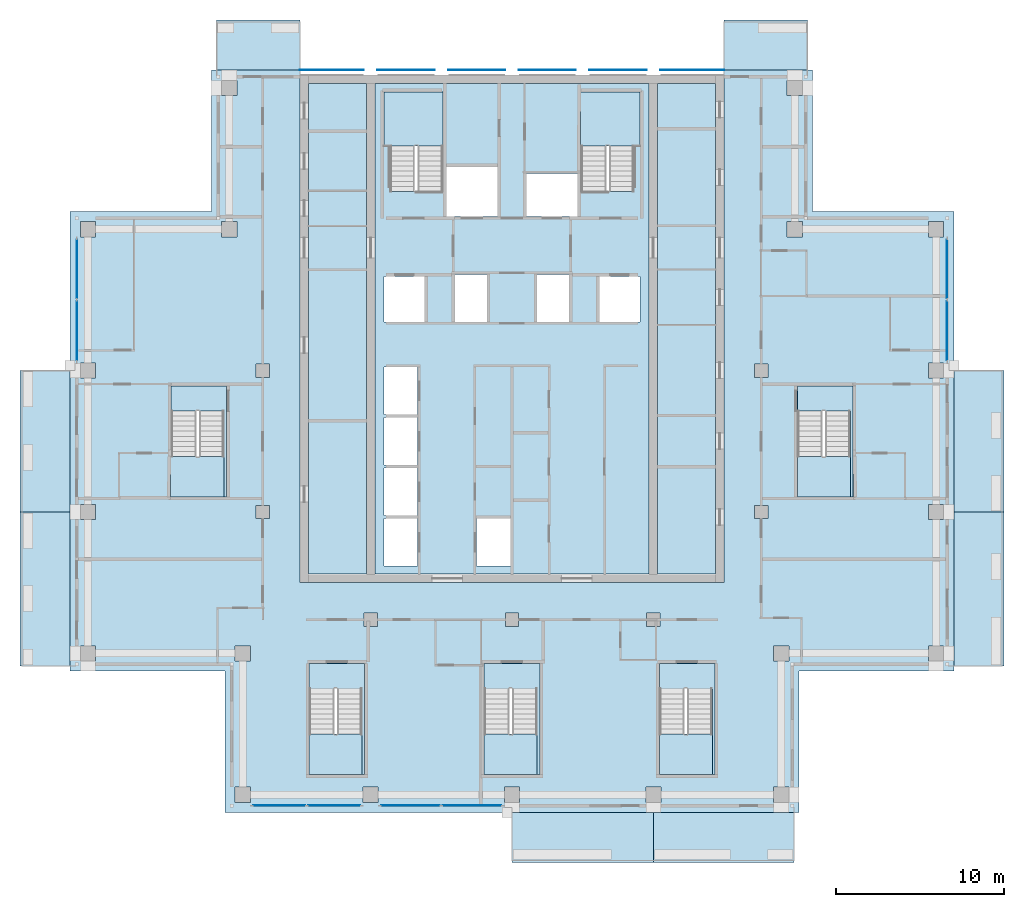
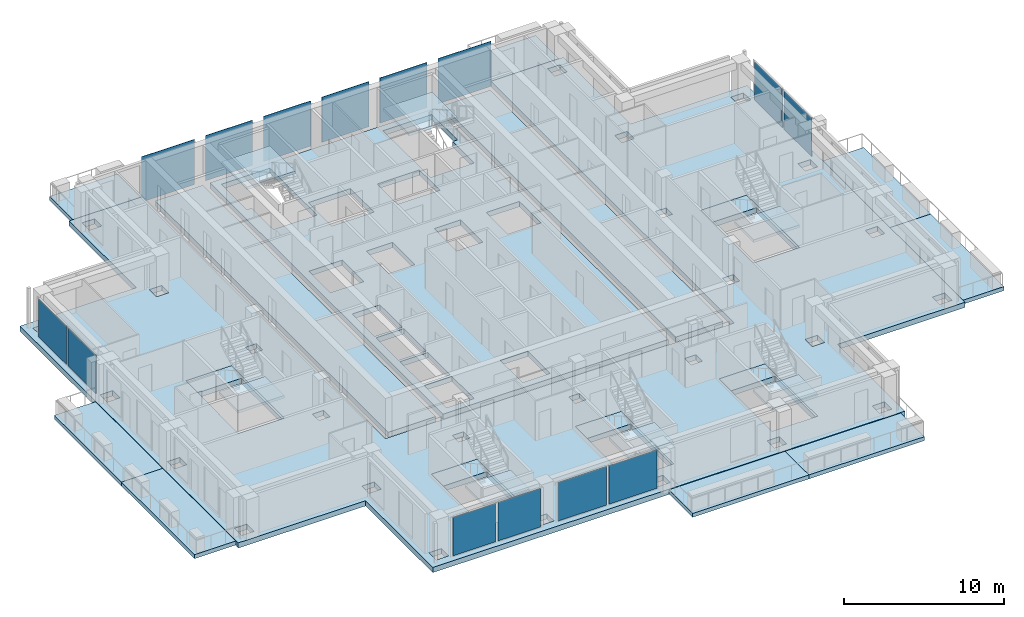
# One storey, part 7 of 17: 24 slabs, 14 plates, 11 elements without a shape of their own.
"""IFC4 building model written with IfcOpenShell, lengths in metres."""

from ifc_helpers import new_model, si_unit, direction, frame, origin, origin_2d, place, context, subcontext, project, spatial, polyline, rectangle, outline, extrude, material, layer, layer_set, type_object, element, aggregate, save


model = new_model("IFC4")

# Units and contexts
model_context = context("Model", 3, precision=1e-05, world=origin(), true_north=direction((0.0, 1.0)))
body_context = subcontext(model_context, "Body", "Model", "MODEL_VIEW")
ifc_project = project(units=[si_unit("LENGTHUNIT", "METRE"), si_unit("AREAUNIT", "SQUARE_METRE"), si_unit("VOLUMEUNIT", "CUBIC_METRE"), si_unit("PLANEANGLEUNIT", "RADIAN"), si_unit("MASSUNIT", "GRAM", prefix="KILO")], contexts=[model_context])

# Site, building, storey
site_placement = place(None, origin())
site = spatial("IfcSite", under=ifc_project, at=site_placement, CompositionType="ELEMENT")
building_placement = place(site_placement, origin())
building = spatial("IfcBuilding", under=site, at=building_placement, Name="Vermilion Ogive Tower", CompositionType="ELEMENT")
storey_placement = place(building_placement, frame((0.0, 0.0, 244.14990234375)))
storey = spatial("IfcBuildingStorey", under=building, at=storey_placement, Name="L64", CompositionType="ELEMENT", Elevation=244.14990234375)

# Slabs
ifc_material_1 = material(Name="Concrete B40", Category="concrete")
ifc_layer_1 = layer(ifc_material_1, 0.300048828125)
ifc_layer_set_1 = layer_set([ifc_layer_1], Name="Balcony slab")
slab_type_1 = type_object("IfcSlabType", Name="Balcony slab", PredefinedType="FLOOR", material=ifc_layer_set_1)
slab_1_placement = place(storey_placement, frame((0.0, 0.0, -0.33984375)))
element("IfcSlab", 1, at=slab_1_placement, inside=storey, type_object=slab_type_1, Name="Balcony slab S03", PredefinedType="FLOOR", context=body_context, shape_type="SweptSolid", body=[
    extrude(outline(polyline([(0.0, -25.030029296875), (8.39990234375, -25.030029296875), (8.39990234375, -22.050048828125), (0.0, -22.050048828125), (0.0, -25.030029296875)])), origin(), (0.0, 0.0, 1.0), 0.300048828125),
])
slab_2_placement = place(storey_placement, frame((0.0, 0.0, -0.33984375)))
element("IfcSlab", 2, at=slab_2_placement, inside=storey, type_object=slab_type_1, Name="Balcony slab S04", PredefinedType="FLOOR", context=body_context, shape_type="SweptSolid", body=[
    extrude(outline(polyline([(8.39990234375, -25.030029296875), (16.75, -25.030029296875), (16.75, -22.050048828125), (8.39990234375, -22.050048828125), (8.39990234375, -25.030029296875)])), origin(), (0.0, 0.0, 1.0), 0.300048828125),
])
slab_3_placement = place(storey_placement, frame((0.0, 0.0, -0.33984375)))
element("IfcSlab", 3, at=slab_3_placement, inside=storey, type_object=slab_type_1, Name="Balcony slab E01", PredefinedType="FLOOR", context=body_context, shape_type="SweptSolid", body=[
    extrude(outline(polyline([(29.22998046875, -13.35009765625), (29.22998046875, -4.199951171875), (26.25, -4.199951171875), (26.25, -13.35009765625), (29.22998046875, -13.35009765625)])), origin(), (0.0, 0.0, 1.0), 0.300048828125),
])
slab_4_placement = place(storey_placement, frame((0.0, 0.0, -0.33984375)))
element("IfcSlab", 4, at=slab_4_placement, inside=storey, type_object=slab_type_1, Name="Balcony slab E02", PredefinedType="FLOOR", context=body_context, shape_type="SweptSolid", body=[
    extrude(outline(polyline([(29.22998046875, -4.199951171875), (29.22998046875, 4.199951171875), (26.25, 4.199951171875), (26.25, -4.199951171875), (29.22998046875, -4.199951171875)])), origin(), (0.0, 0.0, 1.0), 0.300048828125),
])
slab_5_placement = place(storey_placement, frame((0.0, 0.0, -0.33984375)))
element("IfcSlab", 5, at=slab_5_placement, inside=storey, type_object=slab_type_1, Name="Balcony slab N101", PredefinedType="FLOOR", context=body_context, shape_type="SweptSolid", body=[
    extrude(outline(polyline([(17.550048828125, 25.030029296875), (12.60009765625, 25.030029296875), (12.60009765625, 22.050048828125), (17.550048828125, 22.050048828125), (17.550048828125, 25.030029296875)])), origin(), (0.0, 0.0, 1.0), 0.300048828125),
])
slab_6_placement = place(storey_placement, frame((0.0, 0.0, -0.33984375)))
element("IfcSlab", 6, at=slab_6_placement, inside=storey, type_object=slab_type_1, Name="Balcony slab N201", PredefinedType="FLOOR", context=body_context, shape_type="SweptSolid", body=[
    extrude(outline(polyline([(-12.60009765625, 25.030029296875), (-17.550048828125, 25.030029296875), (-17.550048828125, 22.050048828125), (-12.60009765625, 22.050048828125), (-12.60009765625, 25.030029296875)])), origin(), (0.0, 0.0, 1.0), 0.300048828125),
])
slab_7_placement = place(storey_placement, frame((0.0, 0.0, -0.33984375)))
element("IfcSlab", 7, at=slab_7_placement, inside=storey, type_object=slab_type_1, Name="Balcony slab W02", PredefinedType="FLOOR", context=body_context, shape_type="SweptSolid", body=[
    extrude(outline(polyline([(-29.22998046875, 4.199951171875), (-29.22998046875, -4.199951171875), (-26.25, -4.199951171875), (-26.25, 4.199951171875), (-29.22998046875, 4.199951171875)])), origin(), (0.0, 0.0, 1.0), 0.300048828125),
])
slab_8_placement = place(storey_placement, frame((0.0, 0.0, -0.33984375)))
element("IfcSlab", 8, at=slab_8_placement, inside=storey, type_object=slab_type_1, Name="Balcony slab W03", PredefinedType="FLOOR", context=body_context, shape_type="SweptSolid", body=[
    extrude(outline(polyline([(-29.22998046875, -4.199951171875), (-29.22998046875, -13.35009765625), (-26.25, -13.35009765625), (-26.25, -4.199951171875), (-29.22998046875, -4.199951171875)])), origin(), (0.0, 0.0, 1.0), 0.300048828125),
])

# Curtain wall, plates
ifc_material_2 = material(Name="Low-iron laminated glazing in aluminium frame", Category="aluminium")
curtain_wall_type = type_object("IfcCurtainWallType", Name="Curtain wall CW7", PredefinedType="NOTDEFINED", material=ifc_material_2)
curtain_wall_1_placement = place(storey_placement, origin())
curtain_wall_1 = element("IfcCurtainWall", 9, at=curtain_wall_1_placement, inside=storey, type_object=curtain_wall_type, Name="Glazed skin S1", PredefinedType="NOTDEFINED")
ifc_material_3 = material(Name="Low-iron laminated glazing in aluminium frame", Category="aluminium")
ifc_layer_2 = layer(ifc_material_3, 0.031982421875)
ifc_layer_set_2 = layer_set([ifc_layer_2], Name="CW7 glazing panel 32")
plate_type_1 = type_object("IfcPlateType", Name="CW7 glazing panel 32", PredefinedType="CURTAIN_PANEL", material=ifc_layer_set_2)
plate_1_placement = place(storey_placement, frame((-13.830078125, -21.64990234375, 0.06005859375), z_axis=(0.0, 0.0, 1.0), x_axis=(1.0, 0.0, 0.0)))
plate_1 = element("IfcPlate", 10, at=plate_1_placement, type_object=plate_type_1, Name="CW7-S1 panel 1.1", PredefinedType="CURTAIN_PANEL", context=body_context, shape_type="SweptSolid", body=[
    extrude(rectangle(XDim=3.080078125, YDim=0.031982421875, at=origin_2d()), origin(), (0.0, 0.0, 1.0), 2.929931640625),
])
plate_2_placement = place(storey_placement, frame((-10.570068359375, -21.64990234375, 0.06005859375), z_axis=(0.0, 0.0, 1.0), x_axis=(1.0, 0.0, 0.0)))
plate_2 = element("IfcPlate", 11, at=plate_2_placement, type_object=plate_type_1, Name="CW7-S1 panel 2.1", PredefinedType="CURTAIN_PANEL", context=body_context, shape_type="SweptSolid", body=[
    extrude(rectangle(XDim=3.080078125, YDim=0.031982421875, at=origin_2d()), origin(), (0.0, 0.0, 1.0), 2.929931640625),
])
aggregate(curtain_wall_1, [plate_1, plate_2])

curtain_wall_2_placement = place(storey_placement, origin())
curtain_wall_2 = element("IfcCurtainWall", 12, at=curtain_wall_2_placement, inside=storey, type_object=curtain_wall_type, Name="Glazed skin S2", PredefinedType="NOTDEFINED")
plate_3_placement = place(storey_placement, frame((-6.030029296875, -21.64990234375, 0.06005859375), z_axis=(0.0, 0.0, 1.0), x_axis=(1.0, 0.0, 0.0)))
plate_3 = element("IfcPlate", 13, at=plate_3_placement, type_object=plate_type_1, Name="CW7-S2 panel 1.1", PredefinedType="CURTAIN_PANEL", context=body_context, shape_type="SweptSolid", body=[
    extrude(rectangle(XDim=3.47998046875, YDim=0.031982421875, at=origin_2d()), origin(), (0.0, 0.0, 1.0), 2.929931640625),
])
plate_4_placement = place(storey_placement, frame((-2.3701171875, -21.64990234375, 0.06005859375), z_axis=(0.0, 0.0, 1.0), x_axis=(1.0, 0.0, 0.0)))
plate_4 = element("IfcPlate", 14, at=plate_4_placement, type_object=plate_type_1, Name="CW7-S2 panel 2.1", PredefinedType="CURTAIN_PANEL", context=body_context, shape_type="SweptSolid", body=[
    extrude(rectangle(XDim=3.47998046875, YDim=0.031982421875, at=origin_2d()), origin(), (0.0, 0.0, 1.0), 2.929931640625),
])
aggregate(curtain_wall_2, [plate_3, plate_4])

curtain_wall_3_placement = place(storey_placement, origin())
curtain_wall_3 = element("IfcCurtainWall", 15, at=curtain_wall_3_placement, inside=storey, type_object=curtain_wall_type, Name="Glazed skin E3", PredefinedType="NOTDEFINED")
plate_5_placement = place(storey_placement, frame((25.85009765625, 6.570068359375, 0.06005859375), z_axis=(0.0, 0.0, 1.0), x_axis=(0.0, 1.0, 0.0)))
plate_5 = element("IfcPlate", 16, at=plate_5_placement, type_object=plate_type_1, Name="CW7-E3 panel 1.1", PredefinedType="CURTAIN_PANEL", context=body_context, shape_type="SweptSolid", body=[
    extrude(rectangle(XDim=3.47998046875, YDim=0.031982421875, at=origin_2d()), origin(), (0.0, 0.0, 1.0), 2.929931640625),
])
plate_6_placement = place(storey_placement, frame((25.85009765625, 10.22998046875, 0.06005859375), z_axis=(0.0, 0.0, 1.0), x_axis=(0.0, 1.0, 0.0)))
plate_6 = element("IfcPlate", 17, at=plate_6_placement, type_object=plate_type_1, Name="CW7-E3 panel 2.1", PredefinedType="CURTAIN_PANEL", context=body_context, shape_type="SweptSolid", body=[
    extrude(rectangle(XDim=3.47998046875, YDim=0.031982421875, at=origin_2d()), origin(), (0.0, 0.0, 1.0), 2.929931640625),
])
aggregate(curtain_wall_3, [plate_5, plate_6])

curtain_wall_4_placement = place(storey_placement, origin())
curtain_wall_4 = element("IfcCurtainWall", 18, at=curtain_wall_4_placement, inside=storey, type_object=curtain_wall_type, Name="Glazed skin W1", PredefinedType="NOTDEFINED")
plate_7_placement = place(storey_placement, frame((-25.85009765625, 10.22998046875, 0.06005859375), z_axis=(0.0, 0.0, 1.0), x_axis=(0.0, -1.0, 0.0)))
plate_7 = element("IfcPlate", 19, at=plate_7_placement, type_object=plate_type_1, Name="CW7-W1 panel 1.1", PredefinedType="CURTAIN_PANEL", context=body_context, shape_type="SweptSolid", body=[
    extrude(rectangle(XDim=3.47998046875, YDim=0.031982421875, at=origin_2d()), origin(), (0.0, 0.0, 1.0), 2.929931640625),
])
plate_8_placement = place(storey_placement, frame((-25.85009765625, 6.570068359375, 0.06005859375), z_axis=(0.0, 0.0, 1.0), x_axis=(0.0, -1.0, 0.0)))
plate_8 = element("IfcPlate", 20, at=plate_8_placement, type_object=plate_type_1, Name="CW7-W1 panel 2.1", PredefinedType="CURTAIN_PANEL", context=body_context, shape_type="SweptSolid", body=[
    extrude(rectangle(XDim=3.47998046875, YDim=0.031982421875, at=origin_2d()), origin(), (0.0, 0.0, 1.0), 2.929931640625),
])
aggregate(curtain_wall_4, [plate_7, plate_8])

# Slabs
ifc_material_4 = material(Name="Concrete B40", Category="concrete")
ifc_layer_3 = layer(ifc_material_4, 0.39990234375)
ifc_layer_set_3 = layer_set([ifc_layer_3], Name="Core floor slab 400 B40")
slab_type_2 = type_object("IfcSlabType", Name="Core floor slab 400 B40", PredefinedType="FLOOR", material=ifc_layer_set_3)
slab_9_placement = place(storey_placement, frame((0.0, 0.0, -0.39990234375)))
element("IfcSlab", 21, at=slab_9_placement, inside=storey, type_object=slab_type_2, Name="L64-CK-FS1", PredefinedType="FLOOR", context=body_context, shape_type="SweptSolid", body=[
    extrude(outline(polyline([(-8.654052734375, 21.24609375), (-8.654052734375, -7.89599609375), (-12.095947265625, -7.89599609375), (-12.095947265625, 21.24609375), (-8.654052734375, 21.24609375)])), origin(), (0.0, 0.0, 1.0), 0.39990234375),
])
slab_10_placement = place(storey_placement, frame((0.0, 0.0, -0.39990234375)))
element("IfcSlab", 22, at=slab_10_placement, inside=storey, type_object=slab_type_2, Name="L64-CK-FS2", PredefinedType="FLOOR", context=body_context, shape_type="SweptSolid", body=[
    extrude(outline(polyline([(-8.14599609375, -7.89599609375), (8.14599609375, -7.89599609375), (8.14599609375, 21.24609375), (-8.14599609375, 21.24609375), (-8.14599609375, -7.89599609375)]), holes=[polyline([(-7.60009765625, -7.39990234375), (-7.60009765625, -4.60009765625), (-5.60009765625, -4.60009765625), (-5.60009765625, -7.39990234375), (-7.60009765625, -7.39990234375)]), polyline([(-7.60009765625, -4.39990234375), (-7.60009765625, -1.60009765625), (-5.60009765625, -1.60009765625), (-5.60009765625, -4.39990234375), (-7.60009765625, -4.39990234375)]), polyline([(-7.60009765625, -1.39990234375), (-7.60009765625, 1.39990234375), (-5.60009765625, 1.39990234375), (-5.60009765625, -1.39990234375), (-7.60009765625, -1.39990234375)]), polyline([(-7.60009765625, 1.60009765625), (-7.60009765625, 4.39990234375), (-5.60009765625, 4.39990234375), (-5.60009765625, 1.60009765625), (-7.60009765625, 1.60009765625)]), polyline([(-7.60009765625, 7.10009765625), (-7.60009765625, 9.800048828125), (-5.199951171875, 9.800048828125), (-5.199951171875, 7.10009765625), (-7.60009765625, 7.10009765625)]), polyline([(-3.39990234375, 9.89990234375), (-1.5, 9.89990234375), (-1.5, 7.10009765625), (-3.39990234375, 7.10009765625), (-3.39990234375, 9.89990234375)]), polyline([(-7.60009765625, 17.550048828125), (-7.60009765625, 20.75), (-4.10009765625, 20.75), (-4.10009765625, 14.85205078125), (-5.60009765625, 14.85205078125), (-5.60009765625, 14.85009765625), (-5.75, 14.85009765625), (-5.75, 14.85205078125), (-7.25, 14.85205078125), (-7.25, 17.550048828125), (-7.60009765625, 17.550048828125)]), polyline([(-2.10009765625, -7.39990234375), (-2.10009765625, -4.60009765625), (-0.10009765625, -4.60009765625), (-0.10009765625, -7.39990234375), (-2.10009765625, -7.39990234375)]), polyline([(5.199951171875, 7.10009765625), (5.199951171875, 9.800048828125), (7.60009765625, 9.800048828125), (7.60009765625, 7.10009765625), (5.199951171875, 7.10009765625)]), polyline([(1.5, 7.10009765625), (1.5, 9.89990234375), (3.39990234375, 9.89990234375), (3.39990234375, 7.10009765625), (1.5, 7.10009765625)]), polyline([(0.85009765625, 13.35009765625), (0.85009765625, 15.89990234375), (3.89990234375, 15.89990234375), (3.89990234375, 13.35009765625), (0.85009765625, 13.35009765625)]), polyline([(-3.89990234375, 16.300048828125), (-0.85009765625, 16.300048828125), (-0.85009765625, 13.35009765625), (-3.89990234375, 13.35009765625), (-3.89990234375, 16.300048828125)]), polyline([(5.75, 14.85009765625), (5.60009765625, 14.85009765625), (5.60009765625, 14.85205078125), (4.10009765625, 14.85205078125), (4.10009765625, 17.550048828125), (4.074951171875, 17.550048828125), (4.074951171875, 20.75), (7.60009765625, 20.75), (7.60009765625, 17.550048828125), (7.25, 17.550048828125), (7.25, 14.85205078125), (5.75, 14.85205078125), (5.75, 14.85009765625)])]), origin(), (0.0, 0.0, 1.0), 0.39990234375),
])
slab_11_placement = place(storey_placement, frame((0.0, 0.0, -0.39990234375)))
element("IfcSlab", 23, at=slab_11_placement, inside=storey, type_object=slab_type_2, Name="L64-CK-FS3", PredefinedType="FLOOR", context=body_context, shape_type="SweptSolid", body=[
    extrude(outline(polyline([(8.654052734375, 21.24609375), (12.095947265625, 21.24609375), (12.095947265625, -7.89599609375), (8.654052734375, -7.89599609375), (8.654052734375, 21.24609375)])), origin(), (0.0, 0.0, 1.0), 0.39990234375),
])
slab_12_placement = place(storey_placement, frame((0.0, 0.0, -0.39990234375)))
element("IfcSlab", 24, at=slab_12_placement, inside=storey, type_object=slab_type_2, Name="L64-SF-ST3-1", PredefinedType="FLOOR", context=body_context, shape_type="SweptSolid", body=[
    extrude(outline(polyline([(-12.050048828125, -13.199951171875), (-12.050048828125, -14.701904296875), (-10.550048828125, -14.701904296875), (-10.550048828125, -14.699951171875), (-10.39990234375, -14.699951171875), (-10.39990234375, -14.701904296875), (-8.89990234375, -14.701904296875), (-8.89990234375, -19.800048828125), (-8.75, -19.800048828125), (-8.75, -13.199951171875), (-12.050048828125, -13.199951171875)])), origin(), (0.0, 0.0, 1.0), 0.39990234375),
])
slab_13_placement = place(storey_placement, frame((0.0, 0.0, -0.39990234375)))
element("IfcSlab", 25, at=slab_13_placement, inside=storey, type_object=slab_type_2, Name="L64-SF-ST4-1", PredefinedType="FLOOR", context=body_context, shape_type="SweptSolid", body=[
    extrude(outline(polyline([(-1.64990234375, -13.199951171875), (-1.64990234375, -14.701904296875), (-0.14990234375, -14.701904296875), (-0.14990234375, -14.699951171875), (0.0, -14.699951171875), (0.0, -14.701904296875), (1.5, -14.701904296875), (1.5, -19.800048828125), (1.64990234375, -19.800048828125), (1.64990234375, -13.199951171875), (-1.64990234375, -13.199951171875)])), origin(), (0.0, 0.0, 1.0), 0.39990234375),
])
slab_14_placement = place(storey_placement, frame((0.0, 0.0, -0.39990234375)))
element("IfcSlab", 26, at=slab_14_placement, inside=storey, type_object=slab_type_2, Name="L64-SF-ST5-1", PredefinedType="FLOOR", context=body_context, shape_type="SweptSolid", body=[
    extrude(outline(polyline([(8.75, -13.199951171875), (8.75, -14.701904296875), (10.25, -14.701904296875), (10.25, -14.699951171875), (10.39990234375, -14.699951171875), (10.39990234375, -14.701904296875), (11.89990234375, -14.701904296875), (11.89990234375, -19.800048828125), (12.050048828125, -19.800048828125), (12.050048828125, -13.199951171875), (8.75, -13.199951171875)])), origin(), (0.0, 0.0, 1.0), 0.39990234375),
])
slab_15_placement = place(storey_placement, frame((0.0, 0.0, -0.39990234375)))
element("IfcSlab", 27, at=slab_15_placement, inside=storey, type_object=slab_type_2, Name="L64-SF-ST8-1", PredefinedType="FLOOR", context=body_context, shape_type="SweptSolid", body=[
    extrude(outline(polyline([(16.949951171875, 3.300048828125), (16.949951171875, 1.798095703125), (18.449951171875, 1.798095703125), (18.449951171875, 1.800048828125), (18.60009765625, 1.800048828125), (18.60009765625, 1.798095703125), (20.10009765625, 1.798095703125), (20.10009765625, -3.300048828125), (20.25, -3.300048828125), (20.25, 3.300048828125), (16.949951171875, 3.300048828125)])), origin(), (0.0, 0.0, 1.0), 0.39990234375),
])
slab_16_placement = place(storey_placement, frame((0.0, 0.0, -0.39990234375)))
element("IfcSlab", 28, at=slab_16_placement, inside=storey, type_object=slab_type_2, Name="L64-SF-ST9-1", PredefinedType="FLOOR", context=body_context, shape_type="SweptSolid", body=[
    extrude(outline(polyline([(-20.25, 3.300048828125), (-20.25, 1.798095703125), (-18.75, 1.798095703125), (-18.75, 1.800048828125), (-18.60009765625, 1.800048828125), (-18.60009765625, 1.798095703125), (-17.10009765625, 1.798095703125), (-17.10009765625, -3.300048828125), (-16.949951171875, -3.300048828125), (-16.949951171875, 3.300048828125), (-20.25, 3.300048828125)])), origin(), (0.0, 0.0, 1.0), 0.39990234375),
])

# Plates
ifc_material_5 = material(Name="Low-iron laminated glazing in aluminium frame", Category="aluminium")
ifc_layer_4 = layer(ifc_material_5, 0.031982421875)
ifc_layer_set_4 = layer_set([ifc_layer_4], Name="Glazed rainscreen sheet 32")
plate_type_2 = type_object("IfcPlateType", Name="Glazed rainscreen sheet 32", PredefinedType="SHEET", material=ifc_layer_set_4)
plate_9_placement = place(storey_placement, frame((-10.7099609375, 22.06591796875, -0.39990234375), z_axis=(0.0, 0.0, 1.0), x_axis=(1.0, 0.0, 0.0)))
element("IfcPlate", 29, at=plate_9_placement, inside=storey, type_object=plate_type_2, Name="Glazed rainscreen sheet N1", PredefinedType="SHEET", context=body_context, shape_type="SweptSolid", body=[
    extrude(rectangle(XDim=3.820068359375, YDim=0.031982421875, at=origin_2d()), origin(), (0.0, 0.0, 1.0), 3.449951171875),
])
for number, where, z_axis, x_axis, name in (
    (30, (-6.300048828125, 22.06591796875, -0.39990234375), (0.0, 0.0, 1.0), (1.0, 0.0, 0.0), "Glazed rainscreen sheet N2"),
    (31, (-2.10009765625, 22.06591796875, -0.39990234375), (0.0, 0.0, 1.0), (1.0, 0.0, 0.0), "Glazed rainscreen sheet N3"),
    (32, (2.10009765625, 22.06591796875, -0.39990234375), (0.0, 0.0, 1.0), (1.0, 0.0, 0.0), "Glazed rainscreen sheet N4"),
    (33, (6.300048828125, 22.06591796875, -0.39990234375), (0.0, 0.0, 1.0), (1.0, 0.0, 0.0), "Glazed rainscreen sheet N5"),
):
    element("IfcPlate", number, at=place(storey_placement, frame(where, z_axis=z_axis, x_axis=x_axis)), inside=storey, type_object=plate_type_2, Name=name, PredefinedType="SHEET", context=body_context, shape_type="SweptSolid", body=[
        extrude(rectangle(XDim=3.39990234375, YDim=0.031982421875, at=origin_2d()), origin(), (0.0, 0.0, 1.0), 3.449951171875),
    ])
plate_10_placement = place(storey_placement, frame((10.7099609375, 22.06591796875, -0.39990234375), z_axis=(0.0, 0.0, 1.0), x_axis=(1.0, 0.0, 0.0)))
element("IfcPlate", 34, at=plate_10_placement, inside=storey, type_object=plate_type_2, Name="Glazed rainscreen sheet N6", PredefinedType="SHEET", context=body_context, shape_type="SweptSolid", body=[
    extrude(rectangle(XDim=3.820068359375, YDim=0.031982421875, at=origin_2d()), origin(), (0.0, 0.0, 1.0), 3.449951171875),
])

# Slab
ifc_material_6 = material(Name="Concrete B45", Category="concrete")
ifc_layer_5 = layer(ifc_material_6, 0.39990234375)
ifc_layer_set_5 = layer_set([ifc_layer_5], Name="Post-tensioned flat plate 400 B45")
slab_type_3 = type_object("IfcSlabType", Name="Post-tensioned flat plate 400 B45", PredefinedType="FLOOR", material=ifc_layer_set_5)
slab_17_placement = place(storey_placement, frame((0.0, 0.0, -0.39990234375)))
element("IfcSlab", 35, at=slab_17_placement, inside=storey, type_object=slab_type_3, Name="L64-SL-1", PredefinedType="FLOOR", context=body_context, shape_type="SweptSolid", body=[
    extrude(outline(polyline([(-26.25, 13.64990234375), (-26.25, -13.64990234375), (-17.050048828125, -13.64990234375), (-17.050048828125, -22.050048828125), (17.050048828125, -22.050048828125), (17.050048828125, -13.64990234375), (26.25, -13.64990234375), (26.25, 13.64990234375), (17.85009765625, 13.64990234375), (17.85009765625, 22.050048828125), (12.60009765625, 22.050048828125), (12.60009765625, -8.39990234375), (-12.60009765625, -8.39990234375), (-12.60009765625, 22.050048828125), (-17.85009765625, 22.050048828125), (-17.85009765625, 13.64990234375), (-26.25, 13.64990234375)]), holes=[polyline([(24.75, -3.75), (25.64990234375, -3.75), (25.64990234375, -4.64990234375), (24.75, -4.64990234375), (24.75, -3.75)]), polyline([(24.75, -12.14990234375), (25.64990234375, -12.14990234375), (25.64990234375, -13.050048828125), (24.75, -13.050048828125), (24.75, -12.14990234375)]), polyline([(25.64990234375, 13.050048828125), (25.64990234375, 12.14990234375), (24.75, 12.14990234375), (24.75, 13.050048828125), (25.64990234375, 13.050048828125)]), polyline([(25.64990234375, 4.64990234375), (25.64990234375, 3.75), (24.75, 3.75), (24.75, 4.64990234375), (25.64990234375, 4.64990234375)]), polyline([(20.275146484375, -3.2998046875), (20.25, -3.2998046875), (20.25, -3.300048828125), (16.949951171875, -3.300048828125), (16.949951171875, 3.300048828125), (20.25, 3.300048828125), (20.25, -0.89990234375), (20.275146484375, -0.89990234375), (20.275146484375, -3.2998046875)]), polyline([(16.35009765625, 13.050048828125), (17.25, 13.050048828125), (17.25, 12.14990234375), (16.35009765625, 12.14990234375), (16.35009765625, 13.050048828125)]), polyline([(17.25, 21.449951171875), (17.25, 20.550048828125), (16.35009765625, 20.550048828125), (16.35009765625, 21.449951171875), (17.25, 21.449951171875)]), polyline([(15.550048828125, -12.14990234375), (16.449951171875, -12.14990234375), (16.449951171875, -13.050048828125), (15.550048828125, -13.050048828125), (15.550048828125, -12.14990234375)]), polyline([(15.550048828125, -20.550048828125), (16.449951171875, -20.550048828125), (16.449951171875, -21.449951171875), (15.550048828125, -21.449951171875), (15.550048828125, -20.550048828125)]), polyline([(14.39990234375, 4.60009765625), (15.199951171875, 4.60009765625), (15.199951171875, 3.800048828125), (14.39990234375, 3.800048828125), (14.39990234375, 4.60009765625)]), polyline([(15.199951171875, -3.800048828125), (15.199951171875, -4.60009765625), (14.39990234375, -4.60009765625), (14.39990234375, -3.800048828125), (15.199951171875, -3.800048828125)]), polyline([(8.75, -13.199951171875), (12.050048828125, -13.199951171875), (12.050048828125, -19.800048828125), (8.75, -19.800048828125), (8.75, -13.199951171875)]), polyline([(7.949951171875, -20.550048828125), (8.85009765625, -20.550048828125), (8.85009765625, -21.449951171875), (7.949951171875, -21.449951171875), (7.949951171875, -20.550048828125)]), polyline([(8.800048828125, -10.199951171875), (8.800048828125, -11.0), (8.0, -11.0), (8.0, -10.199951171875), (8.800048828125, -10.199951171875)]), polyline([(-1.64990234375, -13.199951171875), (1.64990234375, -13.199951171875), (1.64990234375, -19.800048828125), (-1.64990234375, -19.800048828125), (-1.64990234375, -13.199951171875)]), polyline([(-0.449951171875, -20.550048828125), (0.449951171875, -20.550048828125), (0.449951171875, -21.449951171875), (-0.449951171875, -21.449951171875), (-0.449951171875, -20.550048828125)]), polyline([(-0.39990234375, -10.199951171875), (0.39990234375, -10.199951171875), (0.39990234375, -11.0), (-0.39990234375, -11.0), (-0.39990234375, -10.199951171875)]), polyline([(-8.85009765625, -20.550048828125), (-7.949951171875, -20.550048828125), (-7.949951171875, -21.449951171875), (-8.85009765625, -21.449951171875), (-8.85009765625, -20.550048828125)]), polyline([(-8.800048828125, -10.199951171875), (-8.0, -10.199951171875), (-8.0, -11.0), (-8.800048828125, -11.0), (-8.800048828125, -10.199951171875)]), polyline([(-12.050048828125, -13.199951171875), (-8.75, -13.199951171875), (-8.75, -19.800048828125), (-12.050048828125, -19.800048828125), (-12.050048828125, -13.199951171875)]), polyline([(-15.199951171875, 4.60009765625), (-14.39990234375, 4.60009765625), (-14.39990234375, 3.800048828125), (-15.199951171875, 3.800048828125), (-15.199951171875, 4.60009765625)]), polyline([(-14.39990234375, -3.800048828125), (-14.39990234375, -4.60009765625), (-15.199951171875, -4.60009765625), (-15.199951171875, -3.800048828125), (-14.39990234375, -3.800048828125)]), polyline([(-16.449951171875, -12.14990234375), (-15.550048828125, -12.14990234375), (-15.550048828125, -13.050048828125), (-16.449951171875, -13.050048828125), (-16.449951171875, -12.14990234375)]), polyline([(-16.449951171875, -20.550048828125), (-15.550048828125, -20.550048828125), (-15.550048828125, -21.449951171875), (-16.449951171875, -21.449951171875), (-16.449951171875, -20.550048828125)]), polyline([(-17.25, 13.050048828125), (-16.35009765625, 13.050048828125), (-16.35009765625, 12.14990234375), (-17.25, 12.14990234375), (-17.25, 13.050048828125)]), polyline([(-16.35009765625, 21.449951171875), (-16.35009765625, 20.550048828125), (-17.25, 20.550048828125), (-17.25, 21.449951171875), (-16.35009765625, 21.449951171875)]), polyline([(-20.25, -3.300048828125), (-20.25, -3.2998046875), (-20.275146484375, -3.2998046875), (-20.275146484375, -0.89990234375), (-20.25, -0.89990234375), (-20.25, 3.300048828125), (-16.949951171875, 3.300048828125), (-16.949951171875, -3.300048828125), (-20.25, -3.300048828125)]), polyline([(-24.75, 4.64990234375), (-24.75, 3.75), (-25.64990234375, 3.75), (-25.64990234375, 4.64990234375), (-24.75, 4.64990234375)]), polyline([(-25.64990234375, 13.050048828125), (-24.75, 13.050048828125), (-24.75, 12.14990234375), (-25.64990234375, 12.14990234375), (-25.64990234375, 13.050048828125)]), polyline([(-25.64990234375, -3.75), (-24.75, -3.75), (-24.75, -4.64990234375), (-25.64990234375, -4.64990234375), (-25.64990234375, -3.75)]), polyline([(-25.64990234375, -12.14990234375), (-24.75, -12.14990234375), (-24.75, -13.050048828125), (-25.64990234375, -13.050048828125), (-25.64990234375, -12.14990234375)])]), origin(), (0.0, 0.0, 1.0), 0.39990234375),
])

# Stair, slab
ifc_material_7 = material(Name="Concrete B40", Category="concrete")
stair_type = type_object("IfcStairType", Name="Exit stair 1500", PredefinedType="HALF_TURN_STAIR", material=ifc_material_7)
stair_1_placement = place(storey_placement, origin())
stair_1 = element("IfcStair", 36, at=stair_1_placement, inside=storey, type_object=stair_type, Name="L64 Exit Stair ST1", PredefinedType="HALF_TURN_STAIR")
ifc_material_8 = material(Name="Concrete B40", Category="concrete")
ifc_layer_6 = layer(ifc_material_8, 0.199951171875)
ifc_layer_set_6 = layer_set([ifc_layer_6], Name="Stair landing 200")
slab_type_4 = type_object("IfcSlabType", Name="Stair landing 200", PredefinedType="LANDING", material=ifc_layer_set_6)
slab_18_placement = place(storey_placement, frame((0.0, 0.0, 1.525146484375)))
slab_18 = element("IfcSlab", 37, at=slab_18_placement, type_object=slab_type_4, Name="ST1 landing 1", PredefinedType="LANDING", context=body_context, shape_type="SweptSolid", body=[
    extrude(outline(polyline([(-7.60009765625, 17.550048828125), (-7.25, 17.550048828125), (-7.25, 17.548095703125), (-5.75, 17.548095703125), (-5.75, 17.550048828125), (-5.60009765625, 17.550048828125), (-5.60009765625, 17.548095703125), (-4.10009765625, 17.548095703125), (-4.10009765625, 20.75), (-7.60009765625, 20.75), (-7.60009765625, 17.550048828125)])), origin(), (0.0, 0.0, 1.0), 0.199951171875),
])
aggregate(stair_1, [slab_18])

stair_2_placement = place(storey_placement, origin())
stair_2 = element("IfcStair", 38, at=stair_2_placement, inside=storey, type_object=stair_type, Name="L64 Exit Stair ST2", PredefinedType="HALF_TURN_STAIR")
slab_19_placement = place(storey_placement, frame((0.0, 0.0, 1.525146484375)))
slab_19 = element("IfcSlab", 39, at=slab_19_placement, type_object=slab_type_4, Name="ST2 landing 1", PredefinedType="LANDING", context=body_context, shape_type="SweptSolid", body=[
    extrude(outline(polyline([(5.60009765625, 17.550048828125), (5.75, 17.550048828125), (5.75, 17.548095703125), (7.25, 17.548095703125), (7.25, 17.550048828125), (7.60009765625, 17.550048828125), (7.60009765625, 20.75), (4.074951171875, 20.75), (4.074951171875, 17.550048828125), (4.10009765625, 17.550048828125), (4.10009765625, 17.548095703125), (5.60009765625, 17.548095703125), (5.60009765625, 17.550048828125)])), origin(), (0.0, 0.0, 1.0), 0.199951171875),
])
aggregate(stair_2, [slab_19])

stair_3_placement = place(storey_placement, origin())
stair_3 = element("IfcStair", 40, at=stair_3_placement, inside=storey, type_object=stair_type, Name="L64 Exit Stair ST3", PredefinedType="HALF_TURN_STAIR")
slab_20_placement = place(storey_placement, frame((0.0, 0.0, 1.525146484375)))
slab_20 = element("IfcSlab", 41, at=slab_20_placement, type_object=slab_type_4, Name="ST3 landing 1", PredefinedType="LANDING", context=body_context, shape_type="SweptSolid", body=[
    extrude(outline(polyline([(-8.75, -17.39990234375), (-8.89990234375, -17.39990234375), (-8.89990234375, -17.39794921875), (-10.39990234375, -17.39794921875), (-10.39990234375, -17.39990234375), (-10.550048828125, -17.39990234375), (-10.550048828125, -17.39794921875), (-12.050048828125, -17.39794921875), (-12.050048828125, -19.800048828125), (-8.75, -19.800048828125), (-8.75, -17.39990234375)])), origin(), (0.0, 0.0, 1.0), 0.199951171875),
])
aggregate(stair_3, [slab_20])

stair_4_placement = place(storey_placement, origin())
stair_4 = element("IfcStair", 42, at=stair_4_placement, inside=storey, type_object=stair_type, Name="L64 Exit Stair ST4", PredefinedType="HALF_TURN_STAIR")
slab_21_placement = place(storey_placement, frame((0.0, 0.0, 1.525146484375)))
slab_21 = element("IfcSlab", 43, at=slab_21_placement, type_object=slab_type_4, Name="ST4 landing 1", PredefinedType="LANDING", context=body_context, shape_type="SweptSolid", body=[
    extrude(outline(polyline([(1.64990234375, -17.39990234375), (1.5, -17.39990234375), (1.5, -17.39794921875), (0.0, -17.39794921875), (0.0, -17.39990234375), (-0.14990234375, -17.39990234375), (-0.14990234375, -17.39794921875), (-1.64990234375, -17.39794921875), (-1.64990234375, -19.7998046875), (1.64990234375, -19.7998046875), (1.64990234375, -17.39990234375)])), origin(), (0.0, 0.0, 1.0), 0.199951171875),
])
aggregate(stair_4, [slab_21])

stair_5_placement = place(storey_placement, origin())
stair_5 = element("IfcStair", 44, at=stair_5_placement, inside=storey, type_object=stair_type, Name="L64 Exit Stair ST5", PredefinedType="HALF_TURN_STAIR")
slab_22_placement = place(storey_placement, frame((0.0, 0.0, 1.525146484375)))
slab_22 = element("IfcSlab", 45, at=slab_22_placement, type_object=slab_type_4, Name="ST5 landing 1", PredefinedType="LANDING", context=body_context, shape_type="SweptSolid", body=[
    extrude(outline(polyline([(12.050048828125, -17.39990234375), (11.89990234375, -17.39990234375), (11.89990234375, -17.39794921875), (10.39990234375, -17.39794921875), (10.39990234375, -17.39990234375), (10.25, -17.39990234375), (10.25, -17.39794921875), (8.75, -17.39794921875), (8.75, -19.800048828125), (12.050048828125, -19.800048828125), (12.050048828125, -17.39990234375)])), origin(), (0.0, 0.0, 1.0), 0.199951171875),
])
aggregate(stair_5, [slab_22])

stair_6_placement = place(storey_placement, origin())
stair_6 = element("IfcStair", 46, at=stair_6_placement, inside=storey, type_object=stair_type, Name="L64 Exit Stair ST8", PredefinedType="HALF_TURN_STAIR")
slab_23_placement = place(storey_placement, frame((0.0, 0.0, 1.525146484375)))
slab_23 = element("IfcSlab", 47, at=slab_23_placement, type_object=slab_type_4, Name="ST8 landing 1", PredefinedType="LANDING", context=body_context, shape_type="SweptSolid", body=[
    extrude(outline(polyline([(20.275146484375, -0.89990234375), (20.10009765625, -0.89990234375), (20.10009765625, -0.89794921875), (18.60009765625, -0.89794921875), (18.60009765625, -0.89990234375), (18.449951171875, -0.89990234375), (18.449951171875, -0.89794921875), (16.949951171875, -0.89794921875), (16.949951171875, -0.902099609375), (16.9501953125, -0.902099609375), (16.9501953125, -3.2998046875), (20.275146484375, -3.2998046875), (20.275146484375, -0.89990234375)])), origin(), (0.0, 0.0, 1.0), 0.199951171875),
])
aggregate(stair_6, [slab_23])

stair_7_placement = place(storey_placement, origin())
stair_7 = element("IfcStair", 48, at=stair_7_placement, inside=storey, type_object=stair_type, Name="L64 Exit Stair ST9", PredefinedType="HALF_TURN_STAIR")
slab_24_placement = place(storey_placement, frame((0.0, 0.0, 1.525146484375)))
slab_24 = element("IfcSlab", 49, at=slab_24_placement, type_object=slab_type_4, Name="ST9 landing 1", PredefinedType="LANDING", context=body_context, shape_type="SweptSolid", body=[
    extrude(outline(polyline([(-16.9501953125, -0.89990234375), (-17.10009765625, -0.89990234375), (-17.10009765625, -0.89794921875), (-18.60009765625, -0.89794921875), (-18.60009765625, -0.89990234375), (-18.75, -0.89990234375), (-18.75, -0.89794921875), (-20.25, -0.89794921875), (-20.25, -0.89990234375), (-20.275146484375, -0.89990234375), (-20.275146484375, -3.2998046875), (-16.9501953125, -3.2998046875), (-16.9501953125, -0.89990234375)])), origin(), (0.0, 0.0, 1.0), 0.199951171875),
])
aggregate(stair_7, [slab_24])

save(model, "model.ifc")
